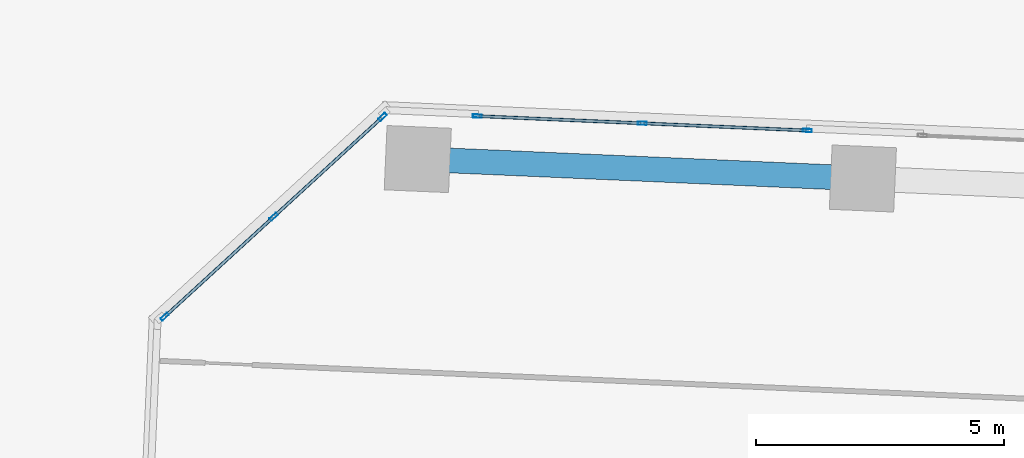
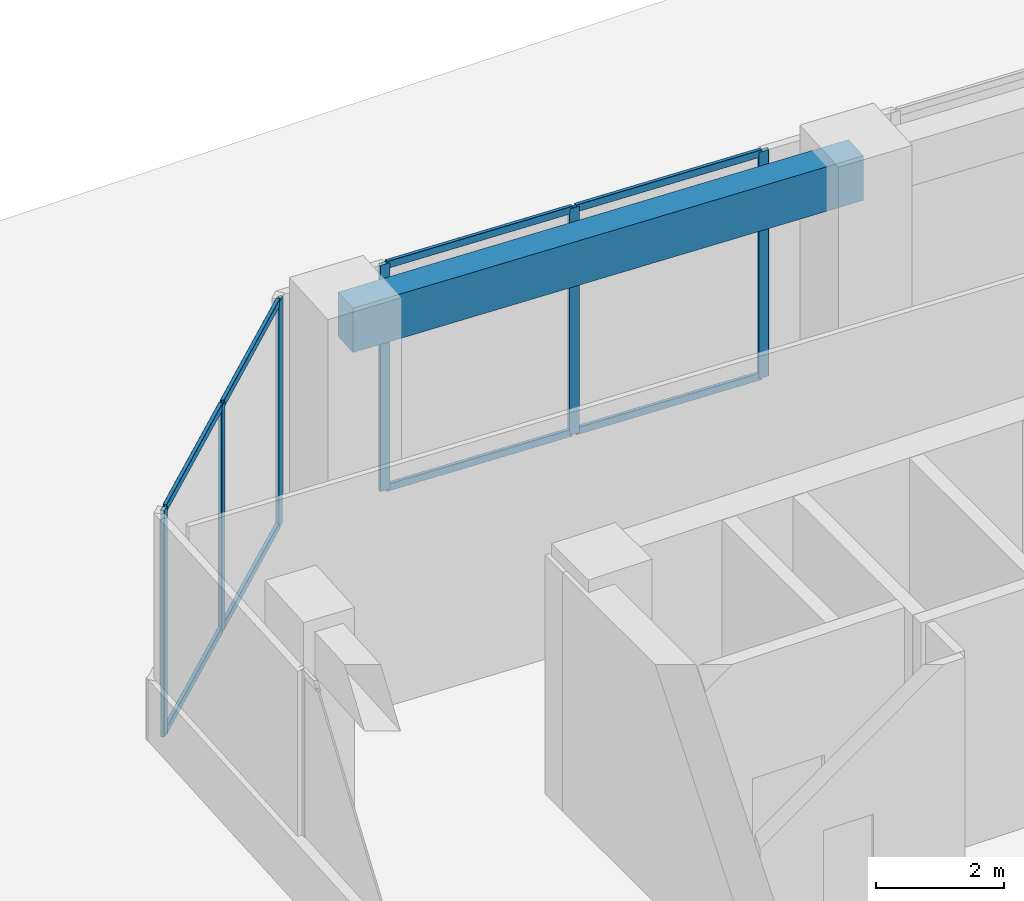
# One storey, part 18 of 33: 14 members, 1 beam, 2 elements without a shape of their own.
"""IFC4 building model written with IfcOpenShell, lengths in metres."""

import ifcopenshell
import ifcopenshell.guid

model = None  # the IFC model being written
_history = None  # IfcOwnerHistory: only IFC2X3 demands one
_inside = {}  # id of a spatial element -> (the spatial element, [elements in it])
_under = {}  # id of a project, library or spatial element -> (it, [spatial elements below it])
_declared = {}  # id of a project -> (the project, [libraries it declares])
_typed = {}  # id of a type object -> (the type object, [elements of that type])
_made_of = {}  # id of a material, layer set ... -> (it, [elements and type objects made of it])


def new_model(schema):
    """Start an empty IFC model of exactly this schema.

    Asked for "IFC4X3", IfcOpenShell would pick the latest addendum, in which some entities
    have other attributes; the version numbers below select the first issue.
    IFC2X3 requires an IfcOwnerHistory on every rooted entity: one is made here for all.
    """
    global model, _history
    if schema == "IFC4X3":
        model = ifcopenshell.file(schema_version=(4, 3, 0, 0))
    else:
        model = ifcopenshell.file(schema=schema)
    _inside.clear()
    _under.clear()
    _declared.clear()
    _typed.clear()
    _made_of.clear()
    _history = None
    if model.schema == "IFC2X3":
        org = make("IfcOrganization", Name="unknown")
        user = make(
            "IfcPersonAndOrganization",
            ThePerson=make("IfcPerson", FamilyName="unknown"),
            TheOrganization=org,
        )
        app = make(
            "IfcApplication",
            ApplicationDeveloper=org,
            Version="unknown",
            ApplicationFullName="unknown",
            ApplicationIdentifier="unknown",
        )
        _history = make(
            "IfcOwnerHistory",
            OwningUser=user,
            OwningApplication=app,
            ChangeAction="ADDED",
            CreationDate=0,
        )
    return model


def make(cls, **values):
    """One entity of the class cls with the attributes given. An attribute that is None is left unset."""
    return model.create_entity(
        cls, **{name: value for name, value in values.items() if value is not None}
    )


def rooted(cls, **values):
    """An entity with a GlobalId (a new one), such as an element, a storey or a relation."""
    return make(cls, GlobalId=ifcopenshell.guid.new(), OwnerHistory=_history, **values)


def si_unit(unit_type, name, prefix=None):
    """IfcSIUnit, for example si_unit("LENGTHUNIT", "METRE", prefix="MILLI")."""
    return make("IfcSIUnit", UnitType=unit_type, Prefix=prefix, Name=name)


def assignment(units):
    """IfcUnitAssignment: the units of a project."""
    return None if units is None else make("IfcUnitAssignment", Units=units)


def point(xyz):
    """IfcCartesianPoint."""
    return None if xyz is None else make("IfcCartesianPoint", Coordinates=xyz)


def direction(xyz):
    """IfcDirection."""
    return None if xyz is None else make("IfcDirection", DirectionRatios=xyz)


def frame(location, z_axis=None, x_axis=None):
    """IfcAxis2Placement3D, a coordinate frame: its origin and axes. An axis left out is left unset."""
    return make(
        "IfcAxis2Placement3D",
        Location=point(location),
        Axis=direction(z_axis),
        RefDirection=direction(x_axis),
    )


def frame_2d(location, x_axis=None):
    """IfcAxis2Placement2D, a coordinate frame in the plane: its origin and x axis."""
    return make(
        "IfcAxis2Placement2D", Location=point(location), RefDirection=direction(x_axis)
    )


def origin():
    """The frame at (0, 0, 0) with its axes left unset."""
    return frame((0.0, 0.0, 0.0))


def origin_2d():
    """The frame at (0, 0) in the plane with its x axis left unset."""
    return frame_2d((0.0, 0.0))


def place(relative_to, where):
    """IfcLocalPlacement: puts the frame where relative to a parent placement (None: the world)."""
    return make(
        "IfcLocalPlacement", PlacementRelTo=relative_to, RelativePlacement=where
    )


def context(
    kind, dimensions, precision=None, world=None, true_north=None, identifier=None
):
    """IfcGeometricRepresentationContext, for example the 3D "Model" context."""
    return make(
        "IfcGeometricRepresentationContext",
        ContextIdentifier=identifier,
        ContextType=kind,
        CoordinateSpaceDimension=dimensions,
        Precision=precision,
        WorldCoordinateSystem=world,
        TrueNorth=true_north,
    )


def subcontext(parent, identifier, kind, view, scale=None):
    """IfcGeometricRepresentationSubContext, for example "Body" below "Model"."""
    return make(
        "IfcGeometricRepresentationSubContext",
        ContextIdentifier=identifier,
        ContextType=kind,
        ParentContext=parent,
        TargetScale=scale,
        TargetView=view,
    )


def project(units=None, contexts=None):
    """IfcProject with its units and contexts."""
    return rooted(
        "IfcProject",
        Name="project",
        RepresentationContexts=contexts,
        UnitsInContext=assignment(units),
    )


def spatial(cls, under=None, at=None, **own):
    """A site, building, storey or space (cls), placed at a placement, below another one or the project."""
    s = rooted(cls, ObjectPlacement=at, **own)
    if under is not None:
        _under.setdefault(under.id(), (under, []))[1].append(s)
    return s


def profile(cls, at=None, kind="AREA", **sizes):
    """A parametric profile (cls). Its sizes go by their IFC names, for example OverallWidth=200.0."""
    return make(cls, ProfileType=kind, Position=at, **sizes)


def rectangle(**sizes):
    """IfcRectangleProfileDef."""
    return profile("IfcRectangleProfileDef", **sizes)


def hollow_rectangle(**sizes):
    """IfcRectangleHollowProfileDef."""
    return profile("IfcRectangleHollowProfileDef", **sizes)


def extrude(swept, where, along, depth):
    """IfcExtrudedAreaSolid: the profile swept, set in the frame where, extruded along a direction by depth."""
    return make(
        "IfcExtrudedAreaSolid",
        SweptArea=swept,
        Position=where,
        ExtrudedDirection=direction(along),
        Depth=depth,
    )


def shape(context_of_items, identifier, shape_type, items):
    """IfcShapeRepresentation: the items that make up one representation, for example the "Body"."""
    return make(
        "IfcShapeRepresentation",
        ContextOfItems=context_of_items,
        RepresentationIdentifier=identifier,
        RepresentationType=shape_type,
        Items=items,
    )


def source(mapping_origin, context_of_items, identifier, shape_type, items):
    """IfcRepresentationMap: a shape defined once, which mapped items show again and again."""
    return make(
        "IfcRepresentationMap",
        MappingOrigin=mapping_origin,
        MappedRepresentation=shape(context_of_items, identifier, shape_type, items),
    )


def transform(
    local_origin,
    x_axis=None,
    y_axis=None,
    z_axis=None,
    scale=None,
    scale2=None,
    scale3=None,
    uniform=True,
):
    """IfcCartesianTransformationOperator3D, or its non-uniform kind. x_axis, y_axis, z_axis: its Axis1, 2, 3."""
    if uniform:
        return make(
            "IfcCartesianTransformationOperator3D",
            Axis1=direction(x_axis),
            Axis2=direction(y_axis),
            LocalOrigin=point(local_origin),
            Scale=scale,
            Axis3=direction(z_axis),
        )
    return make(
        "IfcCartesianTransformationOperator3DnonUniform",
        Axis1=direction(x_axis),
        Axis2=direction(y_axis),
        LocalOrigin=point(local_origin),
        Scale=scale,
        Axis3=direction(z_axis),
        Scale2=scale2,
        Scale3=scale3,
    )


def mapped(mapping_source, mapping_target):
    """IfcMappedItem: shows the shape of a source again, moved by a transform."""
    return make(
        "IfcMappedItem", MappingSource=mapping_source, MappingTarget=mapping_target
    )


def material(Name=None, Category=None):
    """IfcMaterial."""
    return make("IfcMaterial", Name=Name, Category=Category)


def material_profile(
    of_material, cross_section, Name=None, Category=None, Priority=None
):
    """IfcMaterialProfile: a cross section and its material."""
    return make(
        "IfcMaterialProfile",
        Name=Name,
        Material=of_material,
        Profile=cross_section,
        Priority=Priority,
        Category=Category,
    )


def profile_set(profiles, Name=None, composite=None):
    """IfcMaterialProfileSet."""
    return make(
        "IfcMaterialProfileSet",
        Name=Name,
        MaterialProfiles=profiles,
        CompositeProfile=composite,
    )


def made_of(thing, what):
    """Note that an element or type object is made of a material, layer set ...; save() writes the relation."""
    if what is not None:
        _made_of.setdefault(what.id(), (what, []))[1].append(thing)
    return thing


def type_object(cls, material=None, **own):
    """A type object (cls), such as IfcWallType, which elements share."""
    return made_of(rooted(cls, **own), material)


def element(
    cls,
    number,
    at=None,
    inside=None,
    cuts=None,
    type_object=None,
    material=None,
    context=None,
    identifier="Body",
    shape_type=None,
    held_by="IfcProductDefinitionShape",
    body=None,
    shapes=None,
    **own,
):
    """One element of the class cls, such as IfcWall. Its Tag is "e" and its number.

    at: its placement. inside: the storey or other place that contains it. cuts: it is an
    opening in that element (IfcRelVoidsElement). A single representation is given by context,
    identifier, shape_type and body (its items); several are given by shapes. held_by: the class
    of the entity that holds the representations. save() writes the other relations.
    """
    e = rooted(cls, Tag="e%d" % number, ObjectPlacement=at, **own)
    if body is not None:
        shapes = [shape(context, identifier, shape_type, body)]
    if shapes is not None:
        e.Representation = make(held_by, Representations=shapes)
    if inside is not None:
        _inside.setdefault(inside.id(), (inside, []))[1].append(e)
    if cuts is not None:
        rooted(
            "IfcRelVoidsElement", RelatingBuildingElement=cuts, RelatedOpeningElement=e
        )
    if type_object is not None:
        _typed.setdefault(type_object.id(), (type_object, []))[1].append(e)
    return made_of(e, material)


def aggregate(whole, parts):
    """IfcRelAggregates: a whole, such as a stair, and the parts it consists of."""
    return rooted("IfcRelAggregates", RelatingObject=whole, RelatedObjects=parts)


def save(model, path):
    """Write the relations noted so far, then the file.

    IfcRelAggregates (storeys below a building ...), IfcRelContainedInSpatialStructure (elements
    in a storey), IfcRelDefinesByType, IfcRelAssociatesMaterial and IfcRelDeclares: one each for
    every whole, place, type object, material and project.
    """
    for whole, parts in _under.values():
        aggregate(whole, parts)
    for where, things in _inside.values():
        rooted(
            "IfcRelContainedInSpatialStructure",
            RelatedElements=things,
            RelatingStructure=where,
        )
    for kind, things in _typed.values():
        rooted("IfcRelDefinesByType", RelatedObjects=things, RelatingType=kind)
    for what, things in _made_of.values():
        rooted("IfcRelAssociatesMaterial", RelatedObjects=things, RelatingMaterial=what)
    for by, libraries in _declared.values():
        rooted("IfcRelDeclares", RelatingContext=by, RelatedDefinitions=libraries)
    model.write(path)


model = new_model("IFC4")

# Units and contexts
model_context = context("Model", 3, precision=1e-05, world=origin(), true_north=direction((0.0, 1.0)))
body_context = subcontext(model_context, "Body", "Model", "MODEL_VIEW")
ifc_project = project(units=[si_unit("LENGTHUNIT", "METRE"), si_unit("AREAUNIT", "SQUARE_METRE"), si_unit("VOLUMEUNIT", "CUBIC_METRE"), si_unit("PLANEANGLEUNIT", "RADIAN"), si_unit("MASSUNIT", "GRAM", prefix="KILO")], contexts=[model_context])

# Site, building, storey
site_placement = place(None, origin())
site = spatial("IfcSite", under=ifc_project, at=site_placement, CompositionType="ELEMENT")
building_placement = place(site_placement, origin())
building = spatial("IfcBuilding", under=site, at=building_placement, Name="Torre Montelarca", CompositionType="ELEMENT")
storey_placement = place(building_placement, frame((0.0, 0.0, 32.800048828125)))
storey = spatial("IfcBuildingStorey", under=building, at=storey_placement, Name="L07", CompositionType="ELEMENT", Elevation=32.800048828125)

# Beam
ifc_material_1 = material(Name="Concrete C55/67", Category="concrete")
ifc_material_profile_1 = material_profile(ifc_material_1, rectangle(XDim=0.5, YDim=0.85009765625, at=origin_2d()), Name="RCB500X850", Category="concrete")
ifc_profile_set_1 = profile_set([ifc_material_profile_1], Name="Concrete C55/67")
beam_type = type_object("IfcBeamType", Name="BM-SP-RC850-EXT", PredefinedType="SPANDREL", material=ifc_profile_set_1)
shared_shape_1 = source(origin(), body_context, "Body", "SweptSolid", [
    extrude(rectangle(XDim=0.5, YDim=0.85009765625, at=origin_2d()), origin(), (0.0, 0.0, 1.0), 9.000244140625),
])
beam_placement = place(storey_placement, frame((9.672607421875, 47.680908203125, 4.135009765625), z_axis=(0.999047077599, -0.04364558099, 0.0), x_axis=(0.04364558099, 0.999047077599, 0.0)))
element("IfcBeam", 1, at=beam_placement, inside=storey, type_object=beam_type, Name="L07 Grid Girder X 9.0-18.0 at Y=47.1", PredefinedType="SPANDREL", context=body_context, shape_type="MappedRepresentation", body=[
    mapped(shared_shape_1, transform((0.0, 0.0, 0.0), scale=1.0)),
])

# Curtain wall, members
ifc_material_2 = material(Name="Insulated low-E laminated glass", Category="glass")
curtain_wall_type = type_object("IfcCurtainWallType", Name="CW-SYS-Z1", PredefinedType="USERDEFINED", material=ifc_material_2)
curtain_wall_1_placement = place(storey_placement, origin())
curtain_wall_1 = element("IfcCurtainWall", 2, at=curtain_wall_1_placement, inside=storey, type_object=curtain_wall_type, Name="L07 Curtain Wall Run CW-T3-L07-E08-B4", ObjectType="UNITISED GLAZING", PredefinedType="USERDEFINED")
ifc_material_3 = material(Name="Anodised aluminium AA 6063-T6", Category="aluminium")
ifc_material_profile_2 = material_profile(ifc_material_3, hollow_rectangle(XDim=0.06494140625, YDim=0.179931640625, WallThickness=0.00390625, InnerFilletRadius=0.00390625, OuterFilletRadius=0.008056640625, at=origin_2d()), Name="ALU65X180X4", Category="aluminium")
ifc_profile_set_2 = profile_set([ifc_material_profile_2], Name="Anodised aluminium AA 6063-T6")
member_type_1 = type_object("IfcMemberType", Name="CWM-ALU180", PredefinedType="MULLION", material=ifc_profile_set_2)
shared_shape_2 = source(origin(), body_context, "Body", "SweptSolid", [
    extrude(hollow_rectangle(XDim=0.06494140625, YDim=0.179931640625, WallThickness=0.00390625, InnerFilletRadius=0.00390625, OuterFilletRadius=0.008056640625, at=origin_2d()), origin(), (0.0, 0.0, 1.0), 4.320068359375),
])
member_1_placement = place(storey_placement, frame((17.54296875, 48.258056640625, 0.0), z_axis=(0.0, 0.0, 1.0), x_axis=(-0.043620079636, -0.999048191356, 0.0)))
member_1 = element("IfcMember", 3, at=member_1_placement, type_object=member_type_1, Name="CW mullion 1", PredefinedType="MULLION", context=body_context, shape_type="MappedRepresentation", body=[
    mapped(shared_shape_2, transform((0.0, 0.0, 0.0), scale=1.0)),
])
member_2_placement = place(storey_placement, frame((14.20849609375, 48.40380859375, 0.0), z_axis=(0.0, 0.0, 1.0), x_axis=(-0.043620079636, -0.999048191356, 0.0)))
member_2 = element("IfcMember", 4, at=member_2_placement, type_object=member_type_1, Name="CW mullion 2", PredefinedType="MULLION", context=body_context, shape_type="MappedRepresentation", body=[
    mapped(shared_shape_2, transform((0.0, 0.0, 0.0), scale=1.0)),
])
member_3_placement = place(storey_placement, frame((10.874267578125, 48.54931640625, 0.0), z_axis=(0.0, 0.0, 1.0), x_axis=(-0.043620079636, -0.999048191356, 0.0)))
member_3 = element("IfcMember", 5, at=member_3_placement, type_object=member_type_1, Name="CW mullion 3", PredefinedType="MULLION", context=body_context, shape_type="MappedRepresentation", body=[
    mapped(shared_shape_2, transform((0.0, 0.0, 0.0), scale=1.0)),
])

curtain_wall_2_placement = place(storey_placement, origin())
curtain_wall_2 = element("IfcCurtainWall", 6, at=curtain_wall_2_placement, inside=storey, type_object=curtain_wall_type, Name="L07 Curtain Wall Run CW-T3-L07-E09-B1", ObjectType="UNITISED GLAZING", PredefinedType="USERDEFINED")
member_4_placement = place(storey_placement, frame((8.9609375, 48.530517578125, 0.0), z_axis=(0.0, 0.0, 1.0), x_axis=(0.67558349177, -0.737283490692, 0.0)))
member_4 = element("IfcMember", 7, at=member_4_placement, type_object=member_type_1, Name="CW mullion 1", PredefinedType="MULLION", context=body_context, shape_type="MappedRepresentation", body=[
    mapped(shared_shape_2, transform((0.0, 0.0, 0.0), scale=1.0)),
])
member_5_placement = place(storey_placement, frame((6.760986328125, 46.514892578125, 0.0), z_axis=(0.0, 0.0, 1.0), x_axis=(0.67558349177, -0.737283490692, 0.0)))
member_5 = element("IfcMember", 8, at=member_5_placement, type_object=member_type_1, Name="CW mullion 2", PredefinedType="MULLION", context=body_context, shape_type="MappedRepresentation", body=[
    mapped(shared_shape_2, transform((0.0, 0.0, 0.0), scale=1.0)),
])
member_6_placement = place(storey_placement, frame((4.561279296875, 44.4990234375, 0.0), z_axis=(0.0, 0.0, 1.0), x_axis=(0.67558349177, -0.737283490692, 0.0)))
member_6 = element("IfcMember", 9, at=member_6_placement, type_object=member_type_1, Name="CW mullion 3", PredefinedType="MULLION", context=body_context, shape_type="MappedRepresentation", body=[
    mapped(shared_shape_2, transform((0.0, 0.0, 0.0), scale=1.0)),
])

# Member
ifc_material_profile_3 = material_profile(ifc_material_3, hollow_rectangle(XDim=0.06494140625, YDim=0.139892578125, WallThickness=0.00390625, InnerFilletRadius=0.00390625, OuterFilletRadius=0.008056640625, at=origin_2d()), Name="ALU65X140X4", Category="aluminium")
ifc_profile_set_3 = profile_set([ifc_material_profile_3], Name="Anodised aluminium AA 6063-T6")
member_type_2 = type_object("IfcMemberType", Name="CWT-ALU140", PredefinedType="USERDEFINED", material=ifc_profile_set_3)
shared_shape_3 = source(origin(), body_context, "Body", "SweptSolid", [
    extrude(hollow_rectangle(XDim=0.06494140625, YDim=0.139892578125, WallThickness=0.00390625, InnerFilletRadius=0.00390625, OuterFilletRadius=0.008056640625, at=origin_2d()), origin(), (0.0, 0.0, 1.0), 3.272705078125),
])
member_7_placement = place(storey_placement, frame((17.510498046875, 48.259521484375, 0.032470703125), z_axis=(-0.999047269953, 0.043641177787, 0.0), x_axis=(-0.043641177787, -0.999047269953, 0.0)))
member_7 = element("IfcMember", 10, at=member_7_placement, type_object=member_type_2, Name="CW transom 1.1", ObjectType="TRANSOM", PredefinedType="USERDEFINED", context=body_context, shape_type="MappedRepresentation", body=[
    mapped(shared_shape_3, transform((0.0, 0.0, 0.0), scale=1.0)),
])

member_8_placement = place(storey_placement, frame((17.510498046875, 48.259521484375, 4.287353515625), z_axis=(-0.999047269953, 0.043641177787, 0.0), x_axis=(-0.043641177787, -0.999047269953, 0.0)))
member_8 = element("IfcMember", 11, at=member_8_placement, type_object=member_type_2, Name="CW transom 1.2", ObjectType="TRANSOM", PredefinedType="USERDEFINED", context=body_context, shape_type="MappedRepresentation", body=[
    mapped(shared_shape_3, transform((0.0, 0.0, 0.0), scale=1.0)),
])

shared_shape_4 = source(origin(), body_context, "Body", "SweptSolid", [
    extrude(hollow_rectangle(XDim=0.06494140625, YDim=0.139892578125, WallThickness=0.00390625, InnerFilletRadius=0.00390625, OuterFilletRadius=0.008056640625, at=origin_2d()), origin(), (0.0, 0.0, 1.0), 3.2724609375),
])
member_9_placement = place(storey_placement, frame((14.176025390625, 48.405029296875, 0.032470703125), z_axis=(-0.999047127857, 0.043644430573, 0.0), x_axis=(-0.043644430573, -0.999047127857, 0.0)))
member_9 = element("IfcMember", 12, at=member_9_placement, type_object=member_type_2, Name="CW transom 2.1", ObjectType="TRANSOM", PredefinedType="USERDEFINED", context=body_context, shape_type="MappedRepresentation", body=[
    mapped(shared_shape_4, transform((0.0, 0.0, 0.0), scale=1.0)),
])

member_10_placement = place(storey_placement, frame((14.176025390625, 48.405029296875, 4.287353515625), z_axis=(-0.999047127857, 0.043644430573, 0.0), x_axis=(-0.043644430573, -0.999047127857, 0.0)))
member_10 = element("IfcMember", 13, at=member_10_placement, type_object=member_type_2, Name="CW transom 2.2", ObjectType="TRANSOM", PredefinedType="USERDEFINED", context=body_context, shape_type="MappedRepresentation", body=[
    mapped(shared_shape_4, transform((0.0, 0.0, 0.0), scale=1.0)),
])

aggregate(curtain_wall_1, [member_1, member_2, member_3, member_7, member_8, member_9, member_10])

shared_shape_5 = source(origin(), body_context, "Body", "SweptSolid", [
    extrude(hollow_rectangle(XDim=0.06494140625, YDim=0.139892578125, WallThickness=0.00390625, InnerFilletRadius=0.00390625, OuterFilletRadius=0.008056640625, at=origin_2d()), origin(), (0.0, 0.0, 1.0), 2.918701171875),
])
member_11_placement = place(storey_placement, frame((6.737060546875, 46.492919921875, 0.032470703125), z_axis=(-0.737258294732, -0.675610987809, 0.0), x_axis=(0.675610987809, -0.737258294732, 0.0)))
member_11 = element("IfcMember", 14, at=member_11_placement, type_object=member_type_2, Name="CW transom 2.1", ObjectType="TRANSOM", PredefinedType="USERDEFINED", context=body_context, shape_type="MappedRepresentation", body=[
    mapped(shared_shape_5, transform((0.0, 0.0, 0.0), scale=1.0)),
])

member_12_placement = place(storey_placement, frame((6.737060546875, 46.492919921875, 4.287353515625), z_axis=(-0.737258294732, -0.675610987809, 0.0), x_axis=(0.675610987809, -0.737258294732, 0.0)))
member_12 = element("IfcMember", 15, at=member_12_placement, type_object=member_type_2, Name="CW transom 2.2", ObjectType="TRANSOM", PredefinedType="USERDEFINED", context=body_context, shape_type="MappedRepresentation", body=[
    mapped(shared_shape_5, transform((0.0, 0.0, 0.0), scale=1.0)),
])

shared_shape_6 = source(origin(), body_context, "Body", "SweptSolid", [
    extrude(hollow_rectangle(XDim=0.06494140625, YDim=0.139892578125, WallThickness=0.00390625, InnerFilletRadius=0.00390625, OuterFilletRadius=0.008056640625, at=origin_2d()), origin(), (0.0, 0.0, 1.0), 2.91845703125),
])
member_13_placement = place(storey_placement, frame((8.936767578125, 48.508544921875, 0.032470703125), z_axis=(-0.737299959879, -0.675565518038, 0.0), x_axis=(0.675565518038, -0.737299959879, 0.0)))
member_13 = element("IfcMember", 16, at=member_13_placement, type_object=member_type_2, Name="CW transom 1.1", ObjectType="TRANSOM", PredefinedType="USERDEFINED", context=body_context, shape_type="MappedRepresentation", body=[
    mapped(shared_shape_6, transform((0.0, 0.0, 0.0), scale=1.0)),
])

member_14_placement = place(storey_placement, frame((8.936767578125, 48.508544921875, 4.287353515625), z_axis=(-0.737299959879, -0.675565518038, 0.0), x_axis=(0.675565518038, -0.737299959879, 0.0)))
member_14 = element("IfcMember", 17, at=member_14_placement, type_object=member_type_2, Name="CW transom 1.2", ObjectType="TRANSOM", PredefinedType="USERDEFINED", context=body_context, shape_type="MappedRepresentation", body=[
    mapped(shared_shape_6, transform((0.0, 0.0, 0.0), scale=1.0)),
])

aggregate(curtain_wall_2, [member_4, member_5, member_6, member_13, member_14, member_11, member_12])

save(model, "model.ifc")
